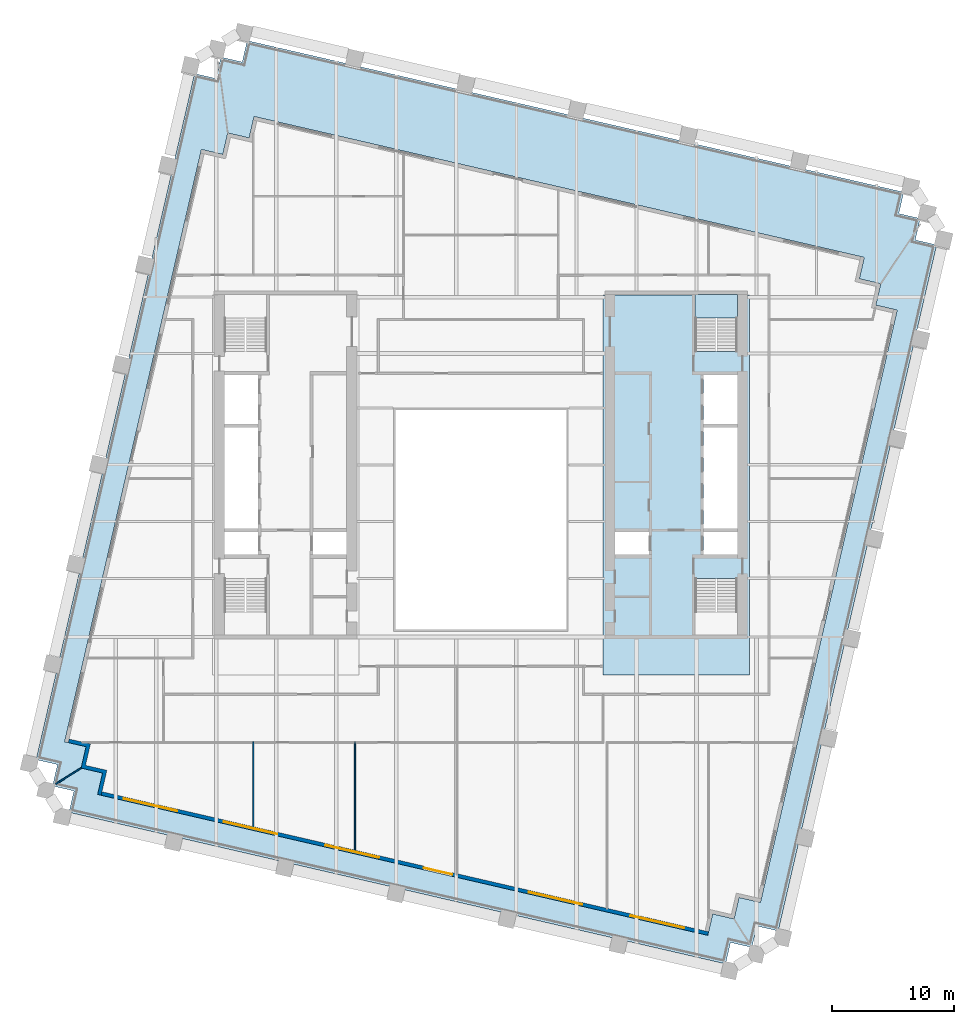
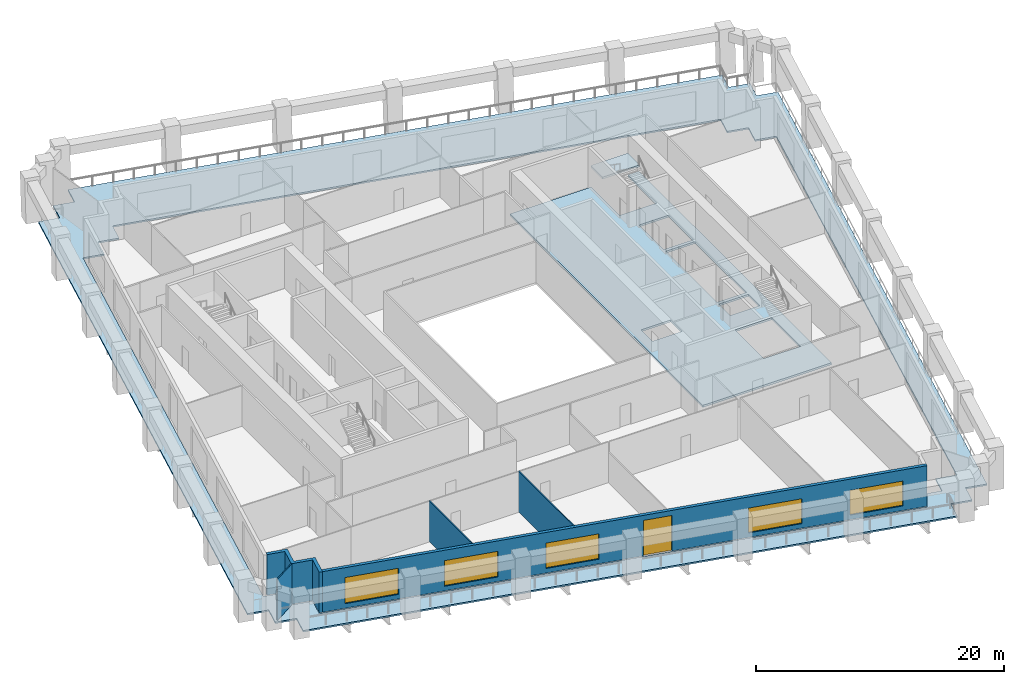
# One storey, part 3 of 10: 5 walls, 5 windows, 3 slabs, 1 door, 6 openings, 1 element without a shape of its own.
"""IFC4 building model written with IfcOpenShell, lengths in metres."""

from ifc_helpers import new_model, si_unit, direction, frame, frame_2d, origin, place, context, subcontext, project, spatial, polyline, rectangle, outline, extrude, material, layer, layer_set, type_object, element, fill, aggregate, save


model = new_model("IFC4")

# Units and contexts
model_context = context("Model", 3, precision=1e-05, world=origin(), true_north=direction((0.0, 1.0)))
body_context = subcontext(model_context, "Body", "Model", "MODEL_VIEW")
ifc_project = project(units=[si_unit("LENGTHUNIT", "METRE"), si_unit("AREAUNIT", "SQUARE_METRE"), si_unit("VOLUMEUNIT", "CUBIC_METRE"), si_unit("PLANEANGLEUNIT", "RADIAN"), si_unit("MASSUNIT", "GRAM", prefix="KILO")], contexts=[model_context])

# Site, building, storey
site_placement = place(None, origin())
site = spatial("IfcSite", under=ifc_project, at=site_placement, CompositionType="ELEMENT")
building_placement = place(site_placement, origin())
building = spatial("IfcBuilding", under=site, at=building_placement, Name="Ogive Exchange Tower", CompositionType="ELEMENT")
storey_placement = place(building_placement, frame((0.0, 0.0, 143.39990234375)))
storey = spatial("IfcBuildingStorey", under=building, at=storey_placement, Name="L31", CompositionType="ELEMENT", Elevation=143.39990234375)

# Slabs
ifc_material_1 = material(Name="Concrete C70/85", Category="concrete")
ifc_layer_1 = layer(ifc_material_1, 0.199951171875)
ifc_layer_set_1 = layer_set([ifc_layer_1], Name="Core floor slab 200")
slab_type_1 = type_object("IfcSlabType", Name="Core floor slab 200", PredefinedType="FLOOR", material=ifc_layer_set_1)
slab_1_placement = place(storey_placement, frame((0.0, 0.0, -0.199951171875)))
element("IfcSlab", 1, at=slab_1_placement, inside=storey, type_object=slab_type_1, Name="Core floor slab", PredefinedType="FLOOR", context=body_context, shape_type="SweptSolid", body=[
    extrude(outline(polyline([(22.0, 25.39990234375), (22.0, -5.699951171875), (10.0, -5.699951171875), (10.0, 25.39990234375), (17.550048828125, 25.39990234375), (17.550048828125, 20.803955078125), (21.0, 20.803955078125), (21.0, 25.39990234375), (22.0, 25.39990234375)]), holes=[polyline([(21.0, 2.196044921875), (17.550048828125, 2.196044921875), (17.550048828125, -2.449951171875), (21.0, -2.449951171875), (21.0, 2.196044921875)]), polyline([(13.75, 5.992919921875), (11.0, 5.992919921875), (11.0, 4.14990234375), (13.75, 4.14990234375), (13.75, 5.992919921875)]), polyline([(21.0, 5.992919921875), (18.25, 5.992919921875), (18.25, 4.14990234375), (21.0, 4.14990234375), (21.0, 5.992919921875)]), polyline([(18.25, 14.564208984375), (18.25, 6.29296875), (21.0, 6.29296875), (21.0, 14.564208984375), (18.25, 14.564208984375)]), polyline([(21.0, 18.85009765625), (18.25, 18.85009765625), (18.25, 14.8642578125), (21.0, 14.8642578125), (21.0, 18.85009765625)])]), origin(), (0.0, 0.0, 1.0), 0.199951171875),
])
ifc_material_2 = material(Name="Concrete C50/60", Category="concrete")
ifc_layer_2 = layer(ifc_material_2, 0.14990234375)
ifc_layer_set_2 = layer_set([ifc_layer_2], Name="Loggia deck 150")
slab_type_2 = type_object("IfcSlabType", Name="Loggia deck 150", PredefinedType="FLOOR", material=ifc_layer_set_2)
slab_2_placement = place(storey_placement, frame((0.0, 0.0, -0.199951171875)))
element("IfcSlab", 2, at=slab_2_placement, inside=storey, type_object=slab_type_2, Name="Loggia deck", PredefinedType="FLOOR", context=body_context, shape_type="SweptSolid", body=[
    extrude(outline(polyline([(-33.33740234375, -15.20703125), (-35.09130859375, -14.802001953125), (-34.686279296875, -13.04833984375), (-36.440185546875, -12.643310546875), (-23.464599609375, 43.56005859375), (-21.710693359375, 43.1552734375), (-21.305908203125, 44.908935546875), (-19.552001953125, 44.504150390625), (-19.147216796875, 46.258056640625), (34.63818359375, 33.8408203125), (34.233154296875, 32.0869140625), (35.987060546875, 31.681884765625), (35.58203125, 29.927978515625), (37.3359375, 29.523193359375), (24.3603515625, -26.680419921875), (22.6064453125, -26.275390625), (22.20166015625, -28.029296875), (20.44775390625, -27.62451171875), (20.04296875, -29.378173828125), (-33.742431640625, -16.9609375), (-33.33740234375, -15.20703125)]), holes=[polyline([(18.986328125, -25.28564453125), (20.740234375, -25.690673828125), (21.145263671875, -23.936767578125), (22.89892578125, -24.341552734375), (34.1015625, 24.181884765625), (32.34765625, 24.5869140625), (32.752685546875, 26.3408203125), (30.998779296875, 26.74560546875), (31.40380859375, 28.49951171875), (-18.58154296875, 40.03955078125), (-18.986328125, 38.28564453125), (-20.740234375, 38.690673828125), (-21.145263671875, 36.936767578125), (-22.89892578125, 37.341552734375), (-34.1015625, -11.181884765625), (-32.34765625, -11.5869140625), (-32.752685546875, -13.3408203125), (-30.998779296875, -13.74560546875), (-31.40380859375, -15.49951171875), (18.58154296875, -27.03955078125), (18.986328125, -25.28564453125)])]), origin(), (0.0, 0.0, 1.0), 0.150146484375),
])

# Stair, slab
ifc_material_3 = material(Name="Concrete C40/50", Category="concrete")
stair_type = type_object("IfcStairType", Name="Exit stair 1650 wide", PredefinedType="HALF_TURN_STAIR", material=ifc_material_3)
stair_placement = place(storey_placement, origin())
stair = element("IfcStair", 3, at=stair_placement, inside=storey, type_object=stair_type, Name="L31 exit stair ST4", PredefinedType="HALF_TURN_STAIR")
ifc_layer_3 = layer(ifc_material_3, 0.199951171875)
ifc_layer_set_3 = layer_set([ifc_layer_3], Name="Stair landing 200 slab")
slab_type_3 = type_object("IfcSlabType", Name="Stair landing 200 slab", PredefinedType="LANDING", material=ifc_layer_set_3)
slab_3_placement = place(storey_placement, frame((0.0, 0.0, 1.900146484375)))
slab_3 = element("IfcSlab", 4, at=slab_3_placement, type_object=slab_type_3, Name="ST4 landing 1", PredefinedType="LANDING", context=body_context, shape_type="SweptSolid", body=[
    extrude(outline(polyline([(21.0, 23.550048828125), (21.0, 25.449951171875), (17.550048828125, 25.449951171875), (17.550048828125, 23.550048828125), (21.0, 23.550048828125)])), origin(), (0.0, 0.0, 1.0), 0.199951171875),
])
aggregate(stair, [slab_3])

# Wall, openings, door, windows
ifc_material_4 = material(Name="Precast concrete C40/50", Category="concrete")
ifc_layer_4 = layer(ifc_material_4, 0.300048828125)
ifc_layer_set_4 = layer_set([ifc_layer_4], Name="Limestone-faced wall 300")
wall_type_1 = type_object("IfcWallType", Name="Limestone-faced wall 300", PredefinedType="STANDARD", material=ifc_layer_set_4)
wall_1_placement = place(storey_placement, frame((-31.07763671875, -15.4208984375, 0.0), z_axis=(0.0, 0.0, 1.0), x_axis=(0.974370456532, -0.224949357493, 0.0)))
wall_1 = element("IfcWall", 5, at=wall_1_placement, inside=storey, type_object=wall_type_1, Name="External wall S1", PredefinedType="STANDARD", context=body_context, shape_type="SweptSolid", body=[
    extrude(rectangle(XDim=51.0, YDim=0.300048828125, at=frame_2d((25.5, 0.0))), origin(), (0.0, 0.0, 1.0), 4.0),
])
opening_1_placement = place(wall_1_placement, frame((1.875, 0.0, 0.449951171875)))
opening_1 = element("IfcOpeningElement", 6, at=opening_1_placement, cuts=wall_1, Name="Opening W1M", PredefinedType="OPENING", context=body_context, shape_type="SweptSolid", body=[
    extrude(rectangle(XDim=4.5, YDim=2.574951171875, at=frame_2d((2.25, 1.28759765625))), frame((0.0, 0.159912109375, 0.0), z_axis=(0.0, -1.0, 0.0), x_axis=(1.0, 0.0, 0.0)), (0.0, 0.0, 1.0), 0.320068359375),
])
opening_2_placement = place(wall_1_placement, frame((10.27490234375, 0.0, 0.449951171875)))
opening_2 = element("IfcOpeningElement", 7, at=opening_2_placement, cuts=wall_1, Name="Opening W1N", PredefinedType="OPENING", context=body_context, shape_type="SweptSolid", body=[
    extrude(rectangle(XDim=4.5, YDim=2.52490234375, at=frame_2d((2.25, 1.262451171875))), frame((0.0, 0.159912109375, 0.0), z_axis=(0.0, -1.0, 0.0), x_axis=(1.0, 0.0, 0.0)), (0.0, 0.0, 1.0), 0.320068359375),
])
opening_3_placement = place(wall_1_placement, frame((18.824951171875, 0.0, 0.449951171875)))
opening_3 = element("IfcOpeningElement", 8, at=opening_3_placement, cuts=wall_1, Name="Opening W1O", PredefinedType="OPENING", context=body_context, shape_type="SweptSolid", body=[
    extrude(rectangle(XDim=4.5, YDim=2.5, at=frame_2d((2.25, 1.25))), frame((0.0, 0.159912109375, 0.0), z_axis=(0.0, -1.0, 0.0), x_axis=(1.0, 0.0, 0.0)), (0.0, 0.0, 1.0), 0.320068359375),
])
opening_4_placement = place(wall_1_placement, frame((27.074951171875, 0.0, 0.0)))
opening_4 = element("IfcOpeningElement", 9, at=opening_4_placement, cuts=wall_1, Name="Opening D1", PredefinedType="OPENING", context=body_context, shape_type="SweptSolid", body=[
    extrude(rectangle(XDim=2.39990234375, YDim=3.5, at=frame_2d((1.199951171875, 1.75))), frame((0.0, 0.159912109375, 0.0), z_axis=(0.0, -1.0, 0.0), x_axis=(1.0, 0.0, 0.0)), (0.0, 0.0, 1.0), 0.320068359375),
])
opening_5_placement = place(wall_1_placement, frame((35.925048828125, 0.0, 0.449951171875)))
opening_5 = element("IfcOpeningElement", 10, at=opening_5_placement, cuts=wall_1, Name="Opening W1Q", PredefinedType="OPENING", context=body_context, shape_type="SweptSolid", body=[
    extrude(rectangle(XDim=4.5, YDim=2.449951171875, at=frame_2d((2.25, 1.22509765625))), frame((0.0, 0.159912109375, 0.0), z_axis=(0.0, -1.0, 0.0), x_axis=(1.0, 0.0, 0.0)), (0.0, 0.0, 1.0), 0.320068359375),
])
opening_6_placement = place(wall_1_placement, frame((44.47509765625, 0.0, 0.449951171875)))
opening_6 = element("IfcOpeningElement", 11, at=opening_6_placement, cuts=wall_1, Name="Opening W1Q", PredefinedType="OPENING", context=body_context, shape_type="SweptSolid", body=[
    extrude(rectangle(XDim=4.5, YDim=2.449951171875, at=frame_2d((2.25, 1.22509765625))), frame((0.0, 0.159912109375, 0.0), z_axis=(0.0, -1.0, 0.0), x_axis=(1.0, 0.0, 0.0)), (0.0, 0.0, 1.0), 0.320068359375),
])
ifc_material_5 = material(Name="Clear glass in bronze frame", Category="glass")
door_type = type_object("IfcDoorType", Name="Sliding loggia door 2400 x 3500", OperationType="DOUBLE_DOOR_SLIDING", PredefinedType="DOOR", material=ifc_material_5)
door_placement = place(opening_4_placement, origin())
door = element("IfcDoor", 12, at=door_placement, inside=storey, type_object=door_type, Name="Loggia door S03", OperationType="DOUBLE_DOOR_SLIDING", OverallHeight=3.5, OverallWidth=2.39990234375, PredefinedType="DOOR", context=body_context, shape_type="SweptSolid", body=[
    extrude(rectangle(XDim=2.39990234375, YDim=3.5, at=frame_2d((1.199951171875, 1.75))), frame((0.0, 0.02490234375, 0.0), z_axis=(0.0, -1.0, 0.0), x_axis=(1.0, 0.0, 0.0)), (0.0, 0.0, 1.0), 0.050048828125),
])
fill(opening_4, door)
window_type_1 = type_object("IfcWindowType", Name="Twin lancet window 4500 x 2450", PartitioningType="DOUBLE_PANEL_VERTICAL", PredefinedType="WINDOW", material=ifc_material_5)
window_1_placement = place(opening_5_placement, origin())
window_1 = element("IfcWindow", 13, at=window_1_placement, inside=storey, type_object=window_type_1, Name="Window S04", OverallHeight=2.449951171875, OverallWidth=4.5, PartitioningType="DOUBLE_PANEL_VERTICAL", PredefinedType="WINDOW", context=body_context, shape_type="SweptSolid", body=[
    extrude(rectangle(XDim=4.5, YDim=2.449951171875, at=frame_2d((2.25, 1.22509765625))), frame((0.0, 0.030029296875, 0.0), z_axis=(0.0, -1.0, 0.0), x_axis=(1.0, 0.0, 0.0)), (0.0, 0.0, 1.0), 0.06005859375),
])
fill(opening_5, window_1)
window_2_placement = place(opening_6_placement, origin())
window_2 = element("IfcWindow", 14, at=window_2_placement, inside=storey, type_object=window_type_1, Name="Window S05", OverallHeight=2.449951171875, OverallWidth=4.5, PartitioningType="DOUBLE_PANEL_VERTICAL", PredefinedType="WINDOW", context=body_context, shape_type="SweptSolid", body=[
    extrude(rectangle(XDim=4.5, YDim=2.449951171875, at=frame_2d((2.25, 1.22509765625))), frame((0.0, 0.030029296875, 0.0), z_axis=(0.0, -1.0, 0.0), x_axis=(1.0, 0.0, 0.0)), (0.0, 0.0, 1.0), 0.06005859375),
])
fill(opening_6, window_2)
window_type_2 = type_object("IfcWindowType", Name="Twin lancet window 4500 x 2500", PartitioningType="DOUBLE_PANEL_VERTICAL", PredefinedType="WINDOW", material=ifc_material_5)
window_3_placement = place(opening_3_placement, origin())
window_3 = element("IfcWindow", 15, at=window_3_placement, inside=storey, type_object=window_type_2, Name="Window S02", OverallHeight=2.5, OverallWidth=4.5, PartitioningType="DOUBLE_PANEL_VERTICAL", PredefinedType="WINDOW", context=body_context, shape_type="SweptSolid", body=[
    extrude(rectangle(XDim=4.5, YDim=2.5, at=frame_2d((2.25, 1.25))), frame((0.0, 0.030029296875, 0.0), z_axis=(0.0, -1.0, 0.0), x_axis=(1.0, 0.0, 0.0)), (0.0, 0.0, 1.0), 0.06005859375),
])
fill(opening_3, window_3)
window_type_3 = type_object("IfcWindowType", Name="Twin lancet window 4500 x 2525", PartitioningType="DOUBLE_PANEL_VERTICAL", PredefinedType="WINDOW", material=ifc_material_5)
window_4_placement = place(opening_2_placement, origin())
window_4 = element("IfcWindow", 16, at=window_4_placement, inside=storey, type_object=window_type_3, Name="Window S01", OverallHeight=2.52490234375, OverallWidth=4.5, PartitioningType="DOUBLE_PANEL_VERTICAL", PredefinedType="WINDOW", context=body_context, shape_type="SweptSolid", body=[
    extrude(rectangle(XDim=4.5, YDim=2.52490234375, at=frame_2d((2.25, 1.262451171875))), frame((0.0, 0.030029296875, 0.0), z_axis=(0.0, -1.0, 0.0), x_axis=(1.0, 0.0, 0.0)), (0.0, 0.0, 1.0), 0.06005859375),
])
fill(opening_2, window_4)
window_type_4 = type_object("IfcWindowType", Name="Twin lancet window 4500 x 2575", PartitioningType="DOUBLE_PANEL_VERTICAL", PredefinedType="WINDOW", material=ifc_material_5)
window_5_placement = place(opening_1_placement, origin())
window_5 = element("IfcWindow", 17, at=window_5_placement, inside=storey, type_object=window_type_4, Name="Window S00", OverallHeight=2.574951171875, OverallWidth=4.5, PartitioningType="DOUBLE_PANEL_VERTICAL", PredefinedType="WINDOW", context=body_context, shape_type="SweptSolid", body=[
    extrude(rectangle(XDim=4.5, YDim=2.574951171875, at=frame_2d((2.25, 1.28759765625))), frame((0.0, 0.030029296875, 0.0), z_axis=(0.0, -1.0, 0.0), x_axis=(1.0, 0.0, 0.0)), (0.0, 0.0, 1.0), 0.06005859375),
])
fill(opening_1, window_5)

# Walls
wall_2_placement = place(storey_placement, origin())
element("IfcWall", 18, at=wall_2_placement, inside=storey, type_object=wall_type_1, Name="External corner wall C4", PredefinedType="STANDARD", context=body_context, shape_type="SweptSolid", body=[
    extrude(outline(polyline([(-32.392822265625, -13.115966796875), (-30.638916015625, -13.52099609375), (-31.111328125, -15.56689453125), (-31.40380859375, -15.49951171875), (-30.998779296875, -13.74560546875), (-32.752685546875, -13.3408203125), (-32.34765625, -11.5869140625), (-33.809326171875, -11.24951171875), (-33.74169921875, -10.957275390625), (-31.98779296875, -11.362060546875), (-32.392822265625, -13.115966796875)])), origin(), (0.0, 0.0, 1.0), 4.0),
])
ifc_material_6 = material(Name="Laminated safety glass in steel frame", Category="steel")
ifc_layer_5 = layer(ifc_material_6, 0.10009765625)
ifc_layer_set_5 = layer_set([ifc_layer_5], Name="Loggia end screen 100")
wall_type_2 = type_object("IfcWallType", Name="Loggia end screen 100", PredefinedType="STANDARD", material=ifc_layer_set_5)
wall_3_placement = place(storey_placement, frame((-32.752685546875, -13.3408203125, -0.0498046875), z_axis=(0.0, 0.0, 1.0), x_axis=(-0.848059759764, -0.529900598103, 0.0)))
element("IfcWall", 19, at=wall_3_placement, inside=storey, type_object=wall_type_2, Name="Loggia end screen C4", PredefinedType="STANDARD", context=body_context, shape_type="SweptSolid", body=[
    extrude(rectangle(XDim=2.454833984375, YDim=0.10009765625, at=frame_2d((1.2275390625, 0.0))), origin(), (0.0, 0.0, 1.0), 4.0498046875),
])
ifc_material_7 = material(Name="Partition 100 gypsum")
ifc_layer_6 = layer(ifc_material_7, 0.10009765625)
ifc_layer_set_6 = layer_set([ifc_layer_6], Name="Partition 100 gypsum")
wall_type_3 = type_object("IfcWallType", Name="Partition 100 gypsum", PredefinedType="PARTITIONING", material=ifc_layer_set_6)
wall_4_placement = place(storey_placement, frame((-18.64990234375, -18.218994140625, 0.0), z_axis=(0.0, 0.0, 1.0), x_axis=(0.0, 1.0, 0.0)))
element("IfcWall", 20, at=wall_4_placement, inside=storey, type_object=wall_type_3, Name="L31-PWL-013", PredefinedType="PARTITIONING", context=body_context, shape_type="SweptSolid", body=[
    extrude(rectangle(XDim=7.01904296875, YDim=0.10009765625, at=frame_2d((3.509521484375, 0.0))), origin(), (0.0, 0.0, 1.0), 4.0),
])
wall_5_placement = place(storey_placement, frame((-10.320068359375, -20.14208984375, 0.0), z_axis=(0.0, 0.0, 1.0), x_axis=(0.0, 1.0, 0.0)))
element("IfcWall", 21, at=wall_5_placement, inside=storey, type_object=wall_type_3, Name="L31-PWL-019", PredefinedType="PARTITIONING", context=body_context, shape_type="SweptSolid", body=[
    extrude(rectangle(XDim=8.942138671875, YDim=0.10009765625, at=frame_2d((4.47119140625, 0.0))), origin(), (0.0, 0.0, 1.0), 4.0),
])

save(model, "model.ifc")
